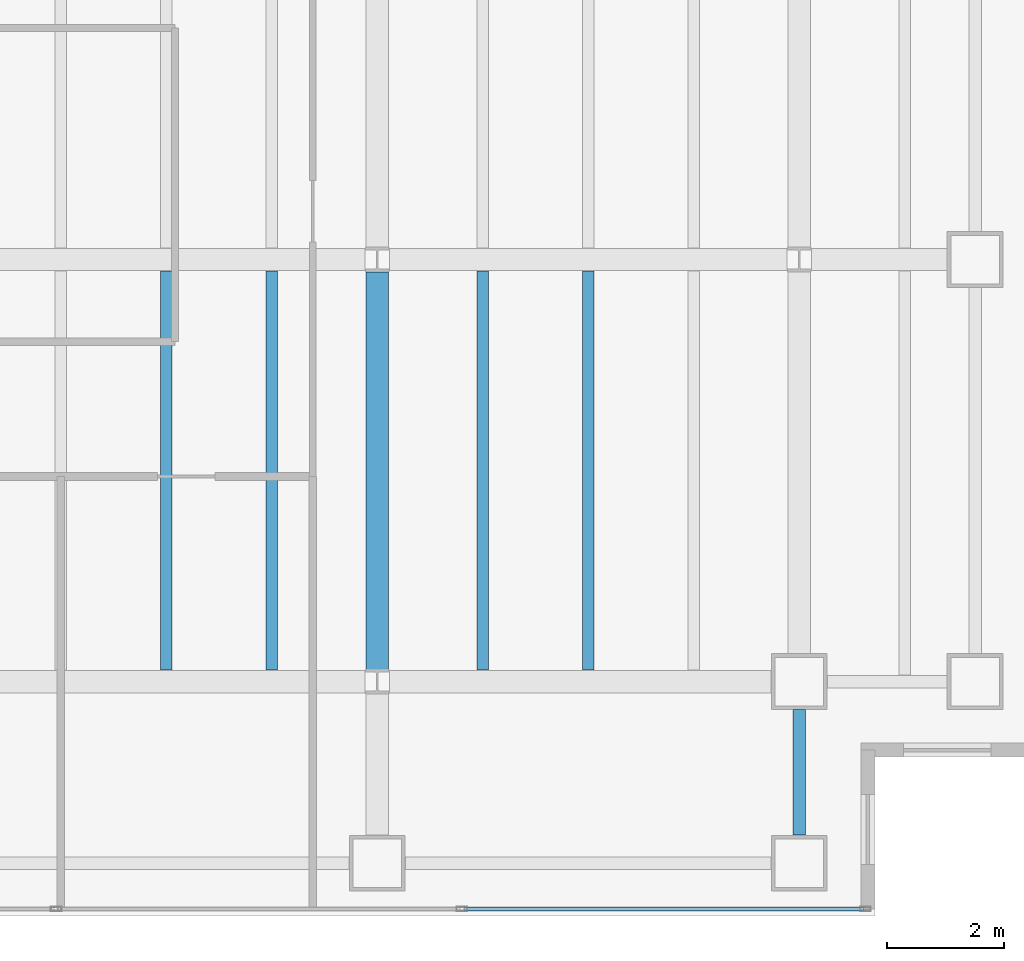
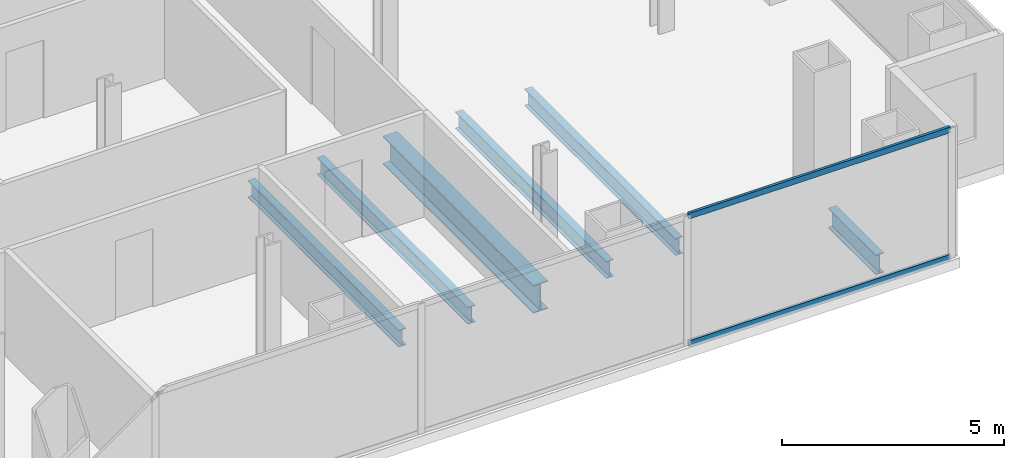
# One storey, part 10 of 23: 6 beams, 2 members, 1 element without a shape of its own.
"""IFC4 building model written with IfcOpenShell, lengths in metres."""

from ifc_helpers import new_model, si_unit, direction, frame, origin, origin_2d, place, context, subcontext, project, spatial, hollow_rectangle, i_section, extrude, material, material_profile, profile_set, type_object, element, aggregate, save


model = new_model("IFC4")

# Units and contexts
model_context = context("Model", 3, precision=1e-05, world=origin(), true_north=direction((0.0, 1.0)))
body_context = subcontext(model_context, "Body", "Model", "MODEL_VIEW")
ifc_project = project(units=[si_unit("LENGTHUNIT", "METRE"), si_unit("AREAUNIT", "SQUARE_METRE"), si_unit("VOLUMEUNIT", "CUBIC_METRE"), si_unit("PLANEANGLEUNIT", "RADIAN"), si_unit("MASSUNIT", "GRAM", prefix="KILO")], contexts=[model_context])

# Site, building, storey
site_placement = place(None, origin())
site = spatial("IfcSite", under=ifc_project, at=site_placement, CompositionType="ELEMENT")
building_placement = place(site_placement, origin())
building = spatial("IfcBuilding", under=site, at=building_placement, Name="Cobrela Telecom Tower", CompositionType="ELEMENT")
storey_placement = place(building_placement, frame((0.0, 0.0, 113.75)))
storey = spatial("IfcBuildingStorey", under=building, at=storey_placement, Name="L28", CompositionType="ELEMENT", Elevation=113.75)

# Beams
ifc_material_1 = material(Name="Steel ASTM A992 Grade 50", Category="steel")
ifc_material_profile_1 = material_profile(ifc_material_1, i_section(OverallWidth=0.381103515625, OverallDepth=0.77197265625, WebThickness=0.0166015625, FlangeThickness=0.027099609375, FilletRadius=0.01904296875, at=origin_2d()), Name="W30X173")
ifc_profile_set_1 = profile_set([ifc_material_profile_1], Name="Steel ASTM A992 Grade 50")
beam_type_1 = type_object("IfcBeamType", Name="BM-GIRD-04", PredefinedType="USERDEFINED", material=ifc_profile_set_1)
beam_1_placement = place(storey_placement, frame((36.0, 7.409423828125, -0.656005859375), z_axis=(0.0, 1.0, 0.0), x_axis=(-1.0, 0.0, 0.0)))
element("IfcBeam", 1, at=beam_1_placement, inside=storey, type_object=beam_type_1, Name="L28 Primary Girder Y50", ObjectType="GIRDER", PredefinedType="USERDEFINED", context=body_context, shape_type="SweptSolid", body=[
    extrude(i_section(OverallWidth=0.381103515625, OverallDepth=0.77197265625, WebThickness=0.0166015625, FlangeThickness=0.027099609375, FilletRadius=0.01904296875, at=origin_2d()), origin(), (0.0, 0.0, 1.0), 6.781005859375),
])
ifc_material_profile_2 = material_profile(ifc_material_1, i_section(OverallWidth=0.193115234375, OverallDepth=0.467041015625, WebThickness=0.011474609375, FlangeThickness=0.01904296875, FilletRadius=0.012939453125, at=origin_2d()), Name="W18X65")
ifc_profile_set_2 = profile_set([ifc_material_profile_2], Name="Steel ASTM A992 Grade 50")
beam_type_2 = type_object("IfcBeamType", Name="BM-JOIST-03", PredefinedType="JOIST", material=ifc_profile_set_2)
for number, where, z_axis, x_axis, name in (
    (2, (32.39990234375, 7.3955078125, -0.50341796875), (0.0, 1.0, 0.0), (-1.0, 0.0, 0.0), "L28 Secondary Composite Floor Beam J29"),
    (3, (34.199951171875, 7.3955078125, -0.50341796875), (0.0, 1.0, 0.0), (-1.0, 0.0, 0.0), "L28 Secondary Composite Floor Beam J31"),
    (4, (37.800048828125, 7.3955078125, -0.50341796875), (0.0, 1.0, 0.0), (-1.0, 0.0, 0.0), "L28 Secondary Composite Floor Beam J33"),
    (5, (39.60009765625, 7.3955078125, -0.50341796875), (0.0, 1.0, 0.0), (-1.0, 0.0, 0.0), "L28 Secondary Composite Floor Beam J35"),
):
    element("IfcBeam", number, at=place(storey_placement, frame(where, z_axis=z_axis, x_axis=x_axis)), inside=storey, type_object=beam_type_2, Name=name, PredefinedType="JOIST", context=body_context, shape_type="SweptSolid", body=[
        extrude(i_section(OverallWidth=0.193115234375, OverallDepth=0.467041015625, WebThickness=0.011474609375, FlangeThickness=0.01904296875, FilletRadius=0.012939453125, at=origin_2d()), origin(), (0.0, 0.0, 1.0), 6.80908203125),
    ])
ifc_material_profile_3 = material_profile(ifc_material_1, i_section(OverallWidth=0.212890625, OverallDepth=0.549072265625, WebThickness=0.0146484375, FlangeThickness=0.023681640625, FilletRadius=0.013916015625, at=origin_2d()), Name="W21X93")
ifc_profile_set_3 = profile_set([ifc_material_profile_3], Name="Steel ASTM A992 Grade 50")
beam_type_3 = type_object("IfcBeamType", Name="BM-SPAND-03", PredefinedType="SPANDREL", material=ifc_profile_set_3)
beam_2_placement = place(storey_placement, frame((43.199951171875, 4.580078125, -0.54443359375), z_axis=(0.0, 1.0, 0.0), x_axis=(-1.0, 0.0, 0.0)))
element("IfcBeam", 6, at=beam_2_placement, inside=storey, type_object=beam_type_3, Name="L28 Perimeter Spandrel Y52", PredefinedType="SPANDREL", context=body_context, shape_type="SweptSolid", body=[
    extrude(i_section(OverallWidth=0.212890625, OverallDepth=0.549072265625, WebThickness=0.0146484375, FlangeThickness=0.023681640625, FilletRadius=0.013916015625, at=origin_2d()), origin(), (0.0, 0.0, 1.0), 2.139892578125),
])

# Curtain wall, members
ifc_material_2 = material(Name="Anodized Bronze Aluminium 6063-T6", Category="aluminium")
curtain_wall_type = type_object("IfcCurtainWallType", Name="CW-SYS-TEL", PredefinedType="USERDEFINED", material=ifc_material_2)
curtain_wall_placement = place(storey_placement, origin())
curtain_wall = element("IfcCurtainWall", 7, at=curtain_wall_placement, inside=storey, type_object=curtain_wall_type, Name="L28 Unitised Bronze Curtain Wall 17", ObjectType="UNITISED CURTAIN WALL", PredefinedType="USERDEFINED")
ifc_material_profile_4 = material_profile(ifc_material_2, hollow_rectangle(XDim=0.070068359375, YDim=0.159912109375, WallThickness=0.00390625, at=origin_2d()), Name="ALU 70x160x4")
ifc_profile_set_4 = profile_set([ifc_material_profile_4], Name="Anodized Bronze Aluminium 6063-T6")
member_type = type_object("IfcMemberType", Name="CW-SYS-TEL-TRN", PredefinedType="USERDEFINED", material=ifc_profile_set_4)
member_1_placement = place(storey_placement, frame((44.294921875, 3.320068359375, 0.034912109375), z_axis=(-1.0, 0.0, 0.0), x_axis=(0.0, -1.0, 0.0)))
member_1 = element("IfcMember", 8, at=member_1_placement, type_object=member_type, Name="CW-TEL transom 1.1", ObjectType="TRANSOM", PredefinedType="USERDEFINED", context=body_context, shape_type="SweptSolid", body=[
    extrude(hollow_rectangle(XDim=0.070068359375, YDim=0.159912109375, WallThickness=0.00390625, at=origin_2d()), origin(), (0.0, 0.0, 1.0), 6.810791015625),
])
member_2_placement = place(storey_placement, frame((44.294921875, 3.320068359375, 3.544921875), z_axis=(-1.0, 0.0, 0.0), x_axis=(0.0, -1.0, 0.0)))
member_2 = element("IfcMember", 9, at=member_2_placement, type_object=member_type, Name="CW-TEL transom 1.2", ObjectType="TRANSOM", PredefinedType="USERDEFINED", context=body_context, shape_type="SweptSolid", body=[
    extrude(hollow_rectangle(XDim=0.070068359375, YDim=0.159912109375, WallThickness=0.00390625, at=origin_2d()), origin(), (0.0, 0.0, 1.0), 6.810791015625),
])
aggregate(curtain_wall, [member_1, member_2])

save(model, "model.ifc")
